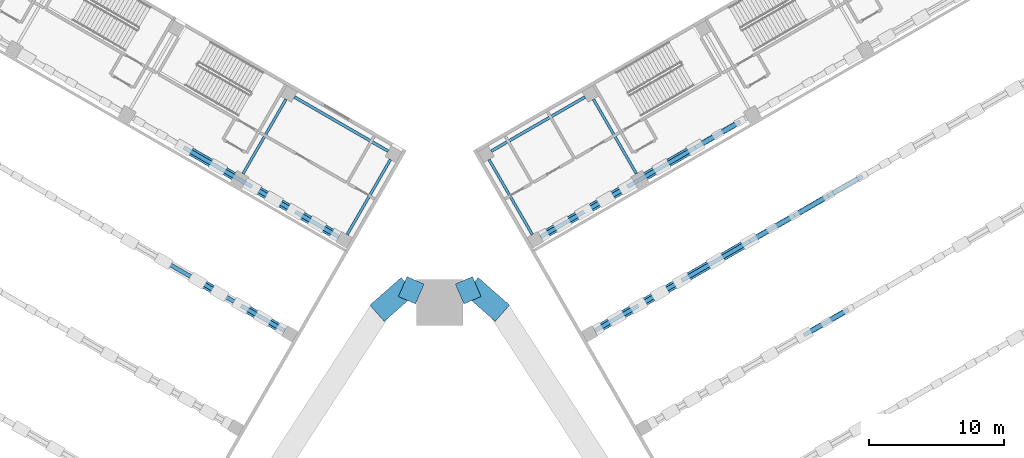
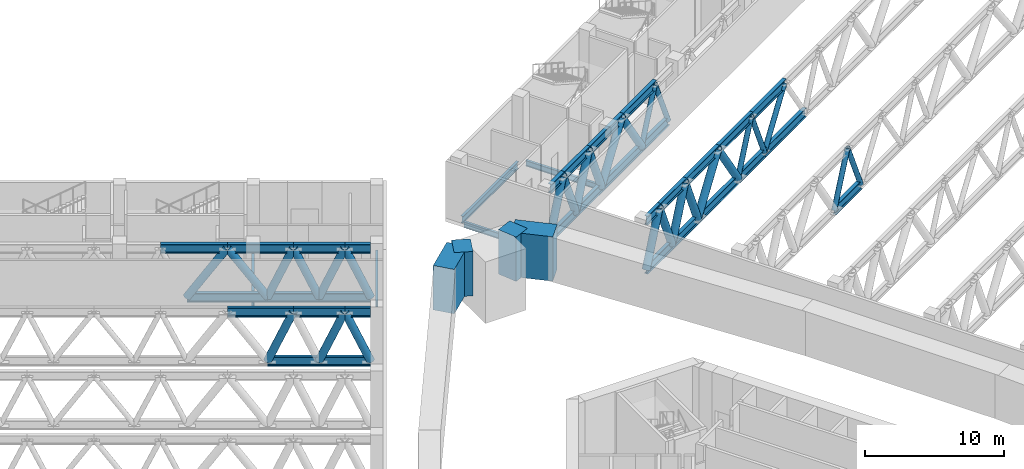
# One storey, part 8 of 37: 59 members, 10 beams.
"""IFC4 building model written with IfcOpenShell, lengths in metres."""

from ifc_helpers import new_model, si_unit, direction, frame, origin, origin_2d, place, context, subcontext, project, spatial, rectangle, hollow_circle, i_section, extrude, material, material_profile, profile_set, type_object, element, save


model = new_model("IFC4")

# Units and contexts
model_context = context("Model", 3, precision=1e-05, world=origin(), true_north=direction((0.0, 1.0)))
body_context = subcontext(model_context, "Body", "Model", "MODEL_VIEW")
ifc_project = project(units=[si_unit("LENGTHUNIT", "METRE"), si_unit("AREAUNIT", "SQUARE_METRE"), si_unit("VOLUMEUNIT", "CUBIC_METRE"), si_unit("PLANEANGLEUNIT", "RADIAN"), si_unit("MASSUNIT", "GRAM", prefix="KILO")], contexts=[model_context])

# Site, building, storey
site_placement = place(None, origin())
site = spatial("IfcSite", under=ifc_project, at=site_placement, CompositionType="ELEMENT")
building_placement = place(site_placement, origin())
building = spatial("IfcBuilding", under=site, at=building_placement, Name="Mestral Congress Tower", CompositionType="ELEMENT")
storey_placement = place(building_placement, frame((0.0, 0.0, 16.199951171875)))
storey = spatial("IfcBuildingStorey", under=building, at=storey_placement, Name="L03", CompositionType="ELEMENT", Elevation=16.199951171875)

# Beams
ifc_material_1 = material(Name="Steel S355", Category="steel")
ifc_material_profile_1 = material_profile(ifc_material_1, i_section(OverallWidth=0.199951171875, OverallDepth=0.5, WebThickness=0.01025390625, FlangeThickness=0.01611328125, FilletRadius=0.02099609375, at=origin_2d()), Name="IPE 500")
ifc_profile_set_1 = profile_set([ifc_material_profile_1], Name="Steel S355")
beam_type_1 = type_object("IfcBeamType", Name="Floor beam IPE 500 S355", PredefinedType="BEAM", material=ifc_profile_set_1)
beam_1_placement = place(storey_placement, frame((6.83544921875, 41.41650390625, -0.550048828125), z_axis=(-0.499999833739, 0.866025499775, 0.0), x_axis=(-0.866025499775, -0.499999833739, 0.0)))
element("IfcBeam", 1, at=beam_1_placement, inside=storey, type_object=beam_type_1, Name="BM-L03-E-U10A", PredefinedType="BEAM", context=body_context, shape_type="SweptSolid", body=[
    extrude(i_section(OverallWidth=0.199951171875, OverallDepth=0.5, WebThickness=0.01025390625, FlangeThickness=0.01611328125, FilletRadius=0.02099609375, at=origin_2d()), origin(), (0.0, 0.0, 1.0), 6.39990234375),
])
beam_2_placement = place(storey_placement, frame((14.51806640625, 45.909912109375, -0.550048828125), z_axis=(-0.500005339912, 0.866022320763, 0.0), x_axis=(-0.866022320763, -0.500005339912, 0.0)))
element("IfcBeam", 2, at=beam_2_placement, inside=storey, type_object=beam_type_1, Name="BM-L03-E-U10B", PredefinedType="BEAM", context=body_context, shape_type="SweptSolid", body=[
    extrude(i_section(OverallWidth=0.199951171875, OverallDepth=0.5, WebThickness=0.01025390625, FlangeThickness=0.01611328125, FilletRadius=0.02099609375, at=origin_2d()), origin(), (0.0, 0.0, 1.0), 6.35009765625),
])
beam_3_placement = place(storey_placement, frame((-3.635498046875, 46.958984375, -0.550048828125), z_axis=(-0.499999833739, -0.866025499775, 0.0), x_axis=(0.866025499775, -0.499999833739, 0.0)))
element("IfcBeam", 3, at=beam_3_placement, inside=storey, type_object=beam_type_1, Name="BM-L03-W-U01A", PredefinedType="BEAM", context=body_context, shape_type="SweptSolid", body=[
    extrude(i_section(OverallWidth=0.199951171875, OverallDepth=0.5, WebThickness=0.01025390625, FlangeThickness=0.01611328125, FilletRadius=0.02099609375, at=origin_2d()), origin(), (0.0, 0.0, 1.0), 6.39990234375),
])
beam_4_placement = place(storey_placement, frame((-11.343017578125, 51.4091796875, -0.550048828125), z_axis=(-0.500005339912, -0.866022320763, 0.0), x_axis=(0.866022320763, -0.500005339912, 0.0)))
element("IfcBeam", 4, at=beam_4_placement, inside=storey, type_object=beam_type_1, Name="BM-L03-W-U01B", PredefinedType="BEAM", context=body_context, shape_type="SweptSolid", body=[
    extrude(i_section(OverallWidth=0.199951171875, OverallDepth=0.5, WebThickness=0.01025390625, FlangeThickness=0.01611328125, FilletRadius=0.02099609375, at=origin_2d()), origin(), (0.0, 0.0, 1.0), 6.35009765625),
])
ifc_material_profile_2 = material_profile(ifc_material_1, i_section(OverallWidth=0.219970703125, OverallDepth=0.60009765625, WebThickness=0.011962890625, FlangeThickness=0.01904296875, FilletRadius=0.02392578125, at=origin_2d()), Name="IPE 600")
ifc_profile_set_2 = profile_set([ifc_material_profile_2], Name="Steel S355")
beam_type_2 = type_object("IfcBeamType", Name="Floor beam IPE 600 S355", PredefinedType="BEAM", material=ifc_profile_set_2)
for number, where, z_axis, x_axis, name in (
    (5, (3.80029296875, 47.57373046875, -0.599853515625), (0.866026010844, 0.49999894854, 0.0), (-0.49999894854, 0.866026010844, 0.0), "BM-L03-E-V11A"),
    (6, (-3.80029296875, 47.57373046875, -0.599853515625), (-0.866026010844, 0.49999894854, 0.0), (-0.49999894854, -0.866026010844, 0.0), "BM-L03-W-V01A"),
):
    element("IfcBeam", number, at=place(storey_placement, frame(where, z_axis=z_axis, x_axis=x_axis)), inside=storey, type_object=beam_type_2, Name=name, PredefinedType="BEAM", context=body_context, shape_type="SweptSolid", body=[
        extrude(i_section(OverallWidth=0.219970703125, OverallDepth=0.60009765625, WebThickness=0.011962890625, FlangeThickness=0.01904296875, FilletRadius=0.02392578125, at=origin_2d()), origin(), (0.0, 0.0, 1.0), 8.0),
    ])
ifc_material_2 = material(Name="Concrete C70/85", Category="concrete")
ifc_material_profile_3 = material_profile(ifc_material_2, rectangle(XDim=1.60009765625, YDim=3.89990234375, at=origin_2d()), Name="RC 1600x3900")
ifc_profile_set_3 = profile_set([ifc_material_profile_3], Name="Concrete C70/85")
beam_type_3 = type_object("IfcBeamType", Name="Transfer girder RC 1600x3900 C70/85", PredefinedType="BEAM", material=ifc_profile_set_3)
beam_5_placement = place(storey_placement, frame((4.62353515625, 35.61279296875, 3.449951171875), z_axis=(-0.749833225643, 0.661626884068, 0.0), x_axis=(-0.661626884068, -0.749833225643, 0.0)))
element("IfcBeam", 7, at=beam_5_placement, inside=storey, type_object=beam_type_3, Name="BM-TG14", PredefinedType="BEAM", context=body_context, shape_type="SweptSolid", body=[
    extrude(rectangle(XDim=1.60009765625, YDim=3.89990234375, at=origin_2d()), origin(), (0.0, 0.0, 1.0), 3.077880859375),
])
for number, where, z_axis, x_axis, name in (
    (8, (2.732666015625, 37.5830078125, 3.449951171875), (-0.917549149145, -0.397622382296, 0.0), (0.397622382296, -0.917549149145, 0.0), "BM-TG15"),
    (9, (-1.470703125, 37.0361328125, 3.449951171875), (-0.917549149145, 0.397622382296, 0.0), (-0.397622382296, -0.917549149145, 0.0), "BM-TG16"),
):
    element("IfcBeam", number, at=place(storey_placement, frame(where, z_axis=z_axis, x_axis=x_axis)), inside=storey, type_object=beam_type_3, Name=name, PredefinedType="BEAM", context=body_context, shape_type="SweptSolid", body=[
        extrude(rectangle(XDim=1.60009765625, YDim=3.89990234375, at=origin_2d()), origin(), (0.0, 0.0, 1.0), 1.375244140625),
    ])
beam_6_placement = place(storey_placement, frame((-2.315673828125, 37.649169921875, 3.449951171875), z_axis=(-0.749833225643, -0.661626884068, 0.0), x_axis=(0.661626884068, -0.749833225643, 0.0)))
element("IfcBeam", 10, at=beam_6_placement, inside=storey, type_object=beam_type_3, Name="BM-TG17", PredefinedType="BEAM", context=body_context, shape_type="SweptSolid", body=[
    extrude(rectangle(XDim=1.60009765625, YDim=3.89990234375, at=origin_2d()), origin(), (0.0, 0.0, 1.0), 3.077880859375),
])

# Members
ifc_material_profile_4 = material_profile(ifc_material_1, i_section(OverallWidth=0.300048828125, OverallDepth=0.800048828125, WebThickness=0.017578125, FlangeThickness=0.032958984375, FilletRadius=0.030029296875, at=origin_2d()), Name="HEB 800")
ifc_profile_set_4 = profile_set([ifc_material_profile_4], Name="Steel S355")
member_type_1 = type_object("IfcMemberType", Name="Truss chord HEB 800 S355", PredefinedType="CHORD", material=ifc_profile_set_4)
member_1_placement = place(storey_placement, frame((26.8818359375, 33.995361328125, 0.400146484375), z_axis=(0.866000483506, 0.500043160704, 0.0), x_axis=(-0.500043160704, 0.866000483506, 0.0)))
element("IfcMember", 11, at=member_1_placement, inside=storey, type_object=member_type_1, Name="MB-E-T7-BC04", PredefinedType="CHORD", context=body_context, shape_type="SweptSolid", body=[
    extrude(i_section(OverallWidth=0.300048828125, OverallDepth=0.800048828125, WebThickness=0.017578125, FlangeThickness=0.032958984375, FilletRadius=0.030029296875, at=origin_2d()), origin(), (0.0, 0.0, 1.0), 3.800048828125),
])
for number, where, z_axis, x_axis, name in (
    (12, (11.4501953125, 34.323486328125, 0.400146484375), (0.86601746898, 0.500013743233, 0.0), (-0.500013743233, 0.86601746898, 0.0), "MB-E-T8-BC01"),
    (13, (14.654541015625, 36.173583984375, 0.400146484375), (0.86601746898, 0.500013743233, 0.0), (-0.500013743233, 0.86601746898, 0.0), "MB-E-T8-BC02"),
):
    element("IfcMember", number, at=place(storey_placement, frame(where, z_axis=z_axis, x_axis=x_axis)), inside=storey, type_object=member_type_1, Name=name, PredefinedType="CHORD", context=body_context, shape_type="SweptSolid", body=[
        extrude(i_section(OverallWidth=0.300048828125, OverallDepth=0.800048828125, WebThickness=0.017578125, FlangeThickness=0.032958984375, FilletRadius=0.030029296875, at=origin_2d()), origin(), (0.0, 0.0, 1.0), 3.7001953125),
    ])
member_2_placement = place(storey_placement, frame((17.85888671875, 38.023681640625, 0.400146484375), z_axis=(0.866032775405, 0.499987231761, 0.0), x_axis=(-0.499987231761, 0.866032775405, 0.0)))
element("IfcMember", 14, at=member_2_placement, inside=storey, type_object=member_type_1, Name="MB-E-T8-BC03", PredefinedType="CHORD", context=body_context, shape_type="SweptSolid", body=[
    extrude(i_section(OverallWidth=0.300048828125, OverallDepth=0.800048828125, WebThickness=0.017578125, FlangeThickness=0.032958984375, FilletRadius=0.030029296875, at=origin_2d()), origin(), (0.0, 0.0, 1.0), 5.800048828125),
])
member_3_placement = place(storey_placement, frame((22.8818359375, 40.923583984375, 0.400146484375), z_axis=(0.866028304915, 0.499994975061, 0.0), x_axis=(-0.499994975061, 0.866028304915, 0.0)))
element("IfcMember", 15, at=member_3_placement, inside=storey, type_object=member_type_1, Name="MB-E-T8-BC04", PredefinedType="CHORD", context=body_context, shape_type="SweptSolid", body=[
    extrude(i_section(OverallWidth=0.300048828125, OverallDepth=0.800048828125, WebThickness=0.017578125, FlangeThickness=0.032958984375, FilletRadius=0.030029296875, at=origin_2d()), origin(), (0.0, 0.0, 1.0), 3.7998046875),
])
member_4_placement = place(storey_placement, frame((26.172607421875, 42.823486328125, 0.400146484375), z_axis=(0.86601454848, 0.500018801468, 0.0), x_axis=(-0.500018801468, 0.86601454848, 0.0)))
element("IfcMember", 16, at=member_4_placement, inside=storey, type_object=member_type_1, Name="MB-E-T8-BC05", PredefinedType="CHORD", context=body_context, shape_type="SweptSolid", body=[
    extrude(i_section(OverallWidth=0.300048828125, OverallDepth=0.800048828125, WebThickness=0.017578125, FlangeThickness=0.032958984375, FilletRadius=0.030029296875, at=origin_2d()), origin(), (0.0, 0.0, 1.0), 5.800048828125),
])
member_5_placement = place(storey_placement, frame((11.4501953125, 34.323486328125, 4.699951171875), z_axis=(0.866033964044, 0.499985172903, 0.0), x_axis=(-0.499985172903, 0.866033964044, 0.0)))
element("IfcMember", 17, at=member_5_placement, inside=storey, type_object=member_type_1, Name="MB-E-T8-TC01", PredefinedType="CHORD", context=body_context, shape_type="SweptSolid", body=[
    extrude(i_section(OverallWidth=0.300048828125, OverallDepth=0.800048828125, WebThickness=0.017578125, FlangeThickness=0.032958984375, FilletRadius=0.030029296875, at=origin_2d()), origin(), (0.0, 0.0, 1.0), 1.85009765625),
])
member_6_placement = place(storey_placement, frame((13.052490234375, 35.24853515625, 4.699951171875), z_axis=(0.866000971088, 0.500042316284, 0.0), x_axis=(-0.500042316284, 0.866000971088, 0.0)))
element("IfcMember", 18, at=member_6_placement, inside=storey, type_object=member_type_1, Name="MB-E-T8-TC02", PredefinedType="CHORD", context=body_context, shape_type="SweptSolid", body=[
    extrude(i_section(OverallWidth=0.300048828125, OverallDepth=0.800048828125, WebThickness=0.017578125, FlangeThickness=0.032958984375, FilletRadius=0.030029296875, at=origin_2d()), origin(), (0.0, 0.0, 1.0), 3.699951171875),
])
member_7_placement = place(storey_placement, frame((16.256591796875, 37.0986328125, 4.699951171875), z_axis=(0.866033238375, 0.499986429846, 0.0), x_axis=(-0.499986429846, 0.866033238375, 0.0)))
element("IfcMember", 19, at=member_7_placement, inside=storey, type_object=member_type_1, Name="MB-E-T8-TC03", PredefinedType="CHORD", context=body_context, shape_type="SweptSolid", body=[
    extrude(i_section(OverallWidth=0.300048828125, OverallDepth=0.800048828125, WebThickness=0.017578125, FlangeThickness=0.032958984375, FilletRadius=0.030029296875, at=origin_2d()), origin(), (0.0, 0.0, 1.0), 4.750244140625),
])
member_8_placement = place(storey_placement, frame((20.370361328125, 39.4736328125, 4.699951171875), z_axis=(0.866024647952, 0.500001309137, 0.0), x_axis=(-0.500001309137, 0.866024647952, 0.0)))
element("IfcMember", 20, at=member_8_placement, inside=storey, type_object=member_type_1, Name="MB-E-T8-TC04", PredefinedType="CHORD", context=body_context, shape_type="SweptSolid", body=[
    extrude(i_section(OverallWidth=0.300048828125, OverallDepth=0.800048828125, WebThickness=0.017578125, FlangeThickness=0.032958984375, FilletRadius=0.030029296875, at=origin_2d()), origin(), (0.0, 0.0, 1.0), 4.7998046875),
])
member_9_placement = place(storey_placement, frame((24.527099609375, 41.87353515625, 4.699951171875), z_axis=(0.866015339567, 0.500017431331, 0.0), x_axis=(-0.500017431331, 0.866015339567, 0.0)))
element("IfcMember", 21, at=member_9_placement, inside=storey, type_object=member_type_1, Name="MB-E-T8-TC05", PredefinedType="CHORD", context=body_context, shape_type="SweptSolid", body=[
    extrude(i_section(OverallWidth=0.300048828125, OverallDepth=0.800048828125, WebThickness=0.017578125, FlangeThickness=0.032958984375, FilletRadius=0.030029296875, at=origin_2d()), origin(), (0.0, 0.0, 1.0), 4.800048828125),
])
for number, where, z_axis, x_axis, name in (
    (22, (7.4501953125, 41.251708984375, 0.400146484375), (0.86601746898, 0.500013743233, 0.0), (-0.500013743233, 0.86601746898, 0.0), "MB-E-T9-BC01"),
    (23, (10.654541015625, 43.101806640625, 0.400146484375), (0.86601746898, 0.500013743233, 0.0), (-0.500013743233, 0.86601746898, 0.0), "MB-E-T9-BC02"),
):
    element("IfcMember", number, at=place(storey_placement, frame(where, z_axis=z_axis, x_axis=x_axis)), inside=storey, type_object=member_type_1, Name=name, PredefinedType="CHORD", context=body_context, shape_type="SweptSolid", body=[
        extrude(i_section(OverallWidth=0.300048828125, OverallDepth=0.800048828125, WebThickness=0.017578125, FlangeThickness=0.032958984375, FilletRadius=0.030029296875, at=origin_2d()), origin(), (0.0, 0.0, 1.0), 3.7001953125),
    ])
member_10_placement = place(storey_placement, frame((13.85888671875, 44.951904296875, 0.400146484375), z_axis=(0.866032775405, 0.499987231761, 0.0), x_axis=(-0.499987231761, 0.866032775405, 0.0)))
element("IfcMember", 24, at=member_10_placement, inside=storey, type_object=member_type_1, Name="MB-E-T9-BC03", PredefinedType="CHORD", context=body_context, shape_type="SweptSolid", body=[
    extrude(i_section(OverallWidth=0.300048828125, OverallDepth=0.800048828125, WebThickness=0.017578125, FlangeThickness=0.032958984375, FilletRadius=0.030029296875, at=origin_2d()), origin(), (0.0, 0.0, 1.0), 5.800048828125),
])
member_11_placement = place(storey_placement, frame((18.8818359375, 47.851806640625, 0.400146484375), z_axis=(0.866028304915, 0.499994975061, 0.0), x_axis=(-0.499994975061, 0.866028304915, 0.0)))
element("IfcMember", 25, at=member_11_placement, inside=storey, type_object=member_type_1, Name="MB-E-T9-BC04", PredefinedType="CHORD", context=body_context, shape_type="SweptSolid", body=[
    extrude(i_section(OverallWidth=0.300048828125, OverallDepth=0.800048828125, WebThickness=0.017578125, FlangeThickness=0.032958984375, FilletRadius=0.030029296875, at=origin_2d()), origin(), (0.0, 0.0, 1.0), 3.7998046875),
])
member_12_placement = place(storey_placement, frame((7.4501953125, 41.251708984375, 4.699951171875), z_axis=(0.866033964044, 0.499985172903, 0.0), x_axis=(-0.499985172903, 0.866033964044, 0.0)))
element("IfcMember", 26, at=member_12_placement, inside=storey, type_object=member_type_1, Name="MB-E-T9-TC01", PredefinedType="CHORD", context=body_context, shape_type="SweptSolid", body=[
    extrude(i_section(OverallWidth=0.300048828125, OverallDepth=0.800048828125, WebThickness=0.017578125, FlangeThickness=0.032958984375, FilletRadius=0.030029296875, at=origin_2d()), origin(), (0.0, 0.0, 1.0), 1.85009765625),
])
member_13_placement = place(storey_placement, frame((9.052490234375, 42.1767578125, 4.699951171875), z_axis=(0.866000971088, 0.500042316284, 0.0), x_axis=(-0.500042316284, 0.866000971088, 0.0)))
element("IfcMember", 27, at=member_13_placement, inside=storey, type_object=member_type_1, Name="MB-E-T9-TC02", PredefinedType="CHORD", context=body_context, shape_type="SweptSolid", body=[
    extrude(i_section(OverallWidth=0.300048828125, OverallDepth=0.800048828125, WebThickness=0.017578125, FlangeThickness=0.032958984375, FilletRadius=0.030029296875, at=origin_2d()), origin(), (0.0, 0.0, 1.0), 3.699951171875),
])
member_14_placement = place(storey_placement, frame((12.256591796875, 44.02685546875, 4.699951171875), z_axis=(0.866033238375, 0.499986429846, 0.0), x_axis=(-0.499986429846, 0.866033238375, 0.0)))
element("IfcMember", 28, at=member_14_placement, inside=storey, type_object=member_type_1, Name="MB-E-T9-TC03", PredefinedType="CHORD", context=body_context, shape_type="SweptSolid", body=[
    extrude(i_section(OverallWidth=0.300048828125, OverallDepth=0.800048828125, WebThickness=0.017578125, FlangeThickness=0.032958984375, FilletRadius=0.030029296875, at=origin_2d()), origin(), (0.0, 0.0, 1.0), 4.750244140625),
])
member_15_placement = place(storey_placement, frame((16.370361328125, 46.40185546875, 4.699951171875), z_axis=(0.866024647952, 0.500001309137, 0.0), x_axis=(-0.500001309137, 0.866024647952, 0.0)))
element("IfcMember", 29, at=member_15_placement, inside=storey, type_object=member_type_1, Name="MB-E-T9-TC04", PredefinedType="CHORD", context=body_context, shape_type="SweptSolid", body=[
    extrude(i_section(OverallWidth=0.300048828125, OverallDepth=0.800048828125, WebThickness=0.017578125, FlangeThickness=0.032958984375, FilletRadius=0.030029296875, at=origin_2d()), origin(), (0.0, 0.0, 1.0), 4.7998046875),
])
for number, where, z_axis, x_axis, name in (
    (30, (-7.4501953125, 41.251708984375, 0.400146484375), (-0.86601746898, 0.500013743233, 0.0), (-0.500013743233, -0.86601746898, 0.0), "MB-W-T1-BC01"),
    (31, (-10.654541015625, 43.101806640625, 0.400146484375), (-0.86601746898, 0.500013743233, 0.0), (-0.500013743233, -0.86601746898, 0.0), "MB-W-T1-BC02"),
):
    element("IfcMember", number, at=place(storey_placement, frame(where, z_axis=z_axis, x_axis=x_axis)), inside=storey, type_object=member_type_1, Name=name, PredefinedType="CHORD", context=body_context, shape_type="SweptSolid", body=[
        extrude(i_section(OverallWidth=0.300048828125, OverallDepth=0.800048828125, WebThickness=0.017578125, FlangeThickness=0.032958984375, FilletRadius=0.030029296875, at=origin_2d()), origin(), (0.0, 0.0, 1.0), 3.7001953125),
    ])
member_16_placement = place(storey_placement, frame((-13.85888671875, 44.951904296875, 0.400146484375), z_axis=(-0.866032775405, 0.499987231761, 0.0), x_axis=(-0.499987231761, -0.866032775405, 0.0)))
element("IfcMember", 32, at=member_16_placement, inside=storey, type_object=member_type_1, Name="MB-W-T1-BC03", PredefinedType="CHORD", context=body_context, shape_type="SweptSolid", body=[
    extrude(i_section(OverallWidth=0.300048828125, OverallDepth=0.800048828125, WebThickness=0.017578125, FlangeThickness=0.032958984375, FilletRadius=0.030029296875, at=origin_2d()), origin(), (0.0, 0.0, 1.0), 5.800048828125),
])
member_17_placement = place(storey_placement, frame((-7.4501953125, 41.251708984375, 4.699951171875), z_axis=(-0.866033964044, 0.499985172903, 0.0), x_axis=(-0.499985172903, -0.866033964044, 0.0)))
element("IfcMember", 33, at=member_17_placement, inside=storey, type_object=member_type_1, Name="MB-W-T1-TC01", PredefinedType="CHORD", context=body_context, shape_type="SweptSolid", body=[
    extrude(i_section(OverallWidth=0.300048828125, OverallDepth=0.800048828125, WebThickness=0.017578125, FlangeThickness=0.032958984375, FilletRadius=0.030029296875, at=origin_2d()), origin(), (0.0, 0.0, 1.0), 1.85009765625),
])
member_18_placement = place(storey_placement, frame((-9.052490234375, 42.1767578125, 4.699951171875), z_axis=(-0.866000971088, 0.500042316284, 0.0), x_axis=(-0.500042316284, -0.866000971088, 0.0)))
element("IfcMember", 34, at=member_18_placement, inside=storey, type_object=member_type_1, Name="MB-W-T1-TC02", PredefinedType="CHORD", context=body_context, shape_type="SweptSolid", body=[
    extrude(i_section(OverallWidth=0.300048828125, OverallDepth=0.800048828125, WebThickness=0.017578125, FlangeThickness=0.032958984375, FilletRadius=0.030029296875, at=origin_2d()), origin(), (0.0, 0.0, 1.0), 3.699951171875),
])
member_19_placement = place(storey_placement, frame((-12.256591796875, 44.02685546875, 4.699951171875), z_axis=(-0.866033238375, 0.499986429846, 0.0), x_axis=(-0.499986429846, -0.866033238375, 0.0)))
element("IfcMember", 35, at=member_19_placement, inside=storey, type_object=member_type_1, Name="MB-W-T1-TC03", PredefinedType="CHORD", context=body_context, shape_type="SweptSolid", body=[
    extrude(i_section(OverallWidth=0.300048828125, OverallDepth=0.800048828125, WebThickness=0.017578125, FlangeThickness=0.032958984375, FilletRadius=0.030029296875, at=origin_2d()), origin(), (0.0, 0.0, 1.0), 4.750244140625),
])
member_20_placement = place(storey_placement, frame((-16.370361328125, 46.40185546875, 4.699951171875), z_axis=(-0.866024647952, 0.500001309137, 0.0), x_axis=(-0.500001309137, -0.866024647952, 0.0)))
element("IfcMember", 36, at=member_20_placement, inside=storey, type_object=member_type_1, Name="MB-W-T1-TC04", PredefinedType="CHORD", context=body_context, shape_type="SweptSolid", body=[
    extrude(i_section(OverallWidth=0.300048828125, OverallDepth=0.800048828125, WebThickness=0.017578125, FlangeThickness=0.032958984375, FilletRadius=0.030029296875, at=origin_2d()), origin(), (0.0, 0.0, 1.0), 4.7998046875),
])
for number, where, z_axis, x_axis, name in (
    (37, (-11.4501953125, 34.323486328125, 0.400146484375), (-0.86601746898, 0.500013743233, 0.0), (-0.500013743233, -0.86601746898, 0.0), "MB-W-T2-BC01"),
    (38, (-14.654541015625, 36.173583984375, 0.400146484375), (-0.86601746898, 0.500013743233, 0.0), (-0.500013743233, -0.86601746898, 0.0), "MB-W-T2-BC02"),
):
    element("IfcMember", number, at=place(storey_placement, frame(where, z_axis=z_axis, x_axis=x_axis)), inside=storey, type_object=member_type_1, Name=name, PredefinedType="CHORD", context=body_context, shape_type="SweptSolid", body=[
        extrude(i_section(OverallWidth=0.300048828125, OverallDepth=0.800048828125, WebThickness=0.017578125, FlangeThickness=0.032958984375, FilletRadius=0.030029296875, at=origin_2d()), origin(), (0.0, 0.0, 1.0), 3.7001953125),
    ])
member_21_placement = place(storey_placement, frame((-11.4501953125, 34.323486328125, 4.699951171875), z_axis=(-0.866033964044, 0.499985172903, 0.0), x_axis=(-0.499985172903, -0.866033964044, 0.0)))
element("IfcMember", 39, at=member_21_placement, inside=storey, type_object=member_type_1, Name="MB-W-T2-TC01", PredefinedType="CHORD", context=body_context, shape_type="SweptSolid", body=[
    extrude(i_section(OverallWidth=0.300048828125, OverallDepth=0.800048828125, WebThickness=0.017578125, FlangeThickness=0.032958984375, FilletRadius=0.030029296875, at=origin_2d()), origin(), (0.0, 0.0, 1.0), 1.85009765625),
])
member_22_placement = place(storey_placement, frame((-13.052490234375, 35.24853515625, 4.699951171875), z_axis=(-0.866000971088, 0.500042316284, 0.0), x_axis=(-0.500042316284, -0.866000971088, 0.0)))
element("IfcMember", 40, at=member_22_placement, inside=storey, type_object=member_type_1, Name="MB-W-T2-TC02", PredefinedType="CHORD", context=body_context, shape_type="SweptSolid", body=[
    extrude(i_section(OverallWidth=0.300048828125, OverallDepth=0.800048828125, WebThickness=0.017578125, FlangeThickness=0.032958984375, FilletRadius=0.030029296875, at=origin_2d()), origin(), (0.0, 0.0, 1.0), 3.699951171875),
])
member_23_placement = place(storey_placement, frame((-16.256591796875, 37.0986328125, 4.699951171875), z_axis=(-0.866033238375, 0.499986429846, 0.0), x_axis=(-0.499986429846, -0.866033238375, 0.0)))
element("IfcMember", 41, at=member_23_placement, inside=storey, type_object=member_type_1, Name="MB-W-T2-TC03", PredefinedType="CHORD", context=body_context, shape_type="SweptSolid", body=[
    extrude(i_section(OverallWidth=0.300048828125, OverallDepth=0.800048828125, WebThickness=0.017578125, FlangeThickness=0.032958984375, FilletRadius=0.030029296875, at=origin_2d()), origin(), (0.0, 0.0, 1.0), 4.750244140625),
])
ifc_material_profile_5 = material_profile(ifc_material_1, hollow_circle(Radius=0.203125, WallThickness=0.01611328125, at=origin_2d()), Name="CHS 406.4x16")
ifc_profile_set_5 = profile_set([ifc_material_profile_5], Name="Steel S355")
member_type_2 = type_object("IfcMemberType", Name="Truss diagonal CHS 406.4x16 S355", PredefinedType="BRACE", material=ifc_profile_set_5)
for number, where, z_axis, x_axis, name in (
    (42, (26.8818359375, 33.995361328125, 0.400146484375), (0.349995738631, 0.20208241861, 0.914694309061), (-0.500022797313, 0.86601224135, 0.0), "MB-E-T7-D07"),
    (43, (28.527099609375, 34.9453125, 4.699951171875), (0.35003763718, 0.202128558443, -0.914668081011), (-0.500063520245, 0.865988727248, 0.0), "MB-E-T7-D08"),
    (44, (22.8818359375, 40.923583984375, 0.400146484375), (0.349995738631, 0.20208241861, 0.914694309061), (-0.500022797313, 0.86601224135, 0.0), "MB-E-T8-D07"),
    (45, (24.527099609375, 41.87353515625, 4.699951171875), (0.350041311257, 0.202078745119, -0.914677681582), (-0.499967155389, 0.866044365799, 0.0), "MB-E-T8-D08"),
):
    element("IfcMember", number, at=place(storey_placement, frame(where, z_axis=z_axis, x_axis=x_axis)), inside=storey, type_object=member_type_2, Name=name, PredefinedType="BRACE", context=body_context, shape_type="SweptSolid", body=[
        extrude(hollow_circle(Radius=0.203125, WallThickness=0.01611328125, at=origin_2d()), origin(), (0.0, 0.0, 1.0), 4.700927734375),
    ])
member_24_placement = place(storey_placement, frame((26.172607421875, 42.823486328125, 0.400146484375), z_axis=(0.484241047345, 0.27961425306, 0.829051553012), x_axis=(-0.50005036918, 0.865996321171, 0.0)))
element("IfcMember", 46, at=member_24_placement, inside=storey, type_object=member_type_2, Name="MB-E-T8-D09", PredefinedType="BRACE", context=body_context, shape_type="SweptSolid", body=[
    extrude(hollow_circle(Radius=0.203125, WallThickness=0.01611328125, at=origin_2d()), origin(), (0.0, 0.0, 1.0), 5.1865234375),
])
for number, where, z_axis, x_axis, name in (
    (47, (18.8818359375, 47.851806640625, 0.400146484375), (0.349995738631, 0.20208241861, 0.914694309061), (-0.500022797313, 0.86601224135, 0.0), "MB-E-T9-D07"),
    (48, (20.527099609375, 48.8017578125, 4.699951171875), (0.350041311257, 0.202078745119, -0.914677681582), (-0.499967155389, 0.866044365799, 0.0), "MB-E-T9-D08"),
):
    element("IfcMember", number, at=place(storey_placement, frame(where, z_axis=z_axis, x_axis=x_axis)), inside=storey, type_object=member_type_2, Name=name, PredefinedType="BRACE", context=body_context, shape_type="SweptSolid", body=[
        extrude(hollow_circle(Radius=0.203125, WallThickness=0.01611328125, at=origin_2d()), origin(), (0.0, 0.0, 1.0), 4.700927734375),
    ])
ifc_material_profile_6 = material_profile(ifc_material_1, hollow_circle(Radius=0.304931640625, WallThickness=0.02490234375, at=origin_2d()), Name="CHS 610x25")
ifc_profile_set_6 = profile_set([ifc_material_profile_6], Name="Steel S355")
member_type_3 = type_object("IfcMemberType", Name="Truss diagonal CHS 610x25 S355", PredefinedType="BRACE", material=ifc_profile_set_6)
for number, where, z_axis, x_axis, name in (
    (49, (11.4501953125, 34.323486328125, 0.400146484375), (0.342300508531, 0.197619476889, 0.918573298226), (-0.499985172903, 0.866033964044, 0.0), "MB-E-T8-D01"),
    (50, (13.052490234375, 35.24853515625, 4.699951171875), (0.342254462306, 0.197623004828, -0.91858969676), (-0.500042316284, 0.866000971088, 0.0), "MB-E-T8-D02"),
    (51, (14.654541015625, 36.173583984375, 0.400146484375), (0.342254462306, 0.197623004828, 0.91858969676), (-0.500042316284, 0.866000971088, 0.0), "MB-E-T8-D03"),
    (52, (16.256591796875, 37.0986328125, 4.699951171875), (0.342300508531, 0.197619476889, -0.918573298226), (-0.499985172903, 0.866033964044, 0.0), "MB-E-T8-D04"),
):
    element("IfcMember", number, at=place(storey_placement, frame(where, z_axis=z_axis, x_axis=x_axis)), inside=storey, type_object=member_type_3, Name=name, PredefinedType="BRACE", context=body_context, shape_type="SweptSolid", body=[
        extrude(hollow_circle(Radius=0.304931640625, WallThickness=0.02490234375, at=origin_2d()), origin(), (0.0, 0.0, 1.0), 4.680908203125),
    ])
for number, where, z_axis, x_axis, name in (
    (53, (17.85888671875, 38.023681640625, 0.400146484375), (0.484247420666, 0.279570859467, 0.829062464544), (-0.499987231761, 0.866032775405, 0.0), "MB-E-T8-D05"),
    (54, (20.370361328125, 39.4736328125, 4.699951171875), (0.484247420666, 0.279570859467, -0.829062464544), (-0.499987231761, 0.866032775405, 0.0), "MB-E-T8-D06"),
):
    element("IfcMember", number, at=place(storey_placement, frame(where, z_axis=z_axis, x_axis=x_axis)), inside=storey, type_object=member_type_3, Name=name, PredefinedType="BRACE", context=body_context, shape_type="SweptSolid", body=[
        extrude(hollow_circle(Radius=0.304931640625, WallThickness=0.02490234375, at=origin_2d()), origin(), (0.0, 0.0, 1.0), 5.186279296875),
    ])
for number, where, z_axis, x_axis, name in (
    (55, (7.4501953125, 41.251708984375, 0.400146484375), (0.342300508531, 0.197619476889, 0.918573298226), (-0.499985172903, 0.866033964044, 0.0), "MB-E-T9-D01"),
    (56, (9.052490234375, 42.1767578125, 4.699951171875), (0.342254462306, 0.197623004828, -0.91858969676), (-0.500042316284, 0.866000971088, 0.0), "MB-E-T9-D02"),
    (57, (10.654541015625, 43.101806640625, 0.400146484375), (0.342254462306, 0.197623004828, 0.91858969676), (-0.500042316284, 0.866000971088, 0.0), "MB-E-T9-D03"),
    (58, (12.256591796875, 44.02685546875, 4.699951171875), (0.342300508531, 0.197619476889, -0.918573298226), (-0.499985172903, 0.866033964044, 0.0), "MB-E-T9-D04"),
):
    element("IfcMember", number, at=place(storey_placement, frame(where, z_axis=z_axis, x_axis=x_axis)), inside=storey, type_object=member_type_3, Name=name, PredefinedType="BRACE", context=body_context, shape_type="SweptSolid", body=[
        extrude(hollow_circle(Radius=0.304931640625, WallThickness=0.02490234375, at=origin_2d()), origin(), (0.0, 0.0, 1.0), 4.680908203125),
    ])
for number, where, z_axis, x_axis, name in (
    (59, (13.85888671875, 44.951904296875, 0.400146484375), (0.484247420666, 0.279570859467, 0.829062464544), (-0.499987231761, 0.866032775405, 0.0), "MB-E-T9-D05"),
    (60, (16.370361328125, 46.40185546875, 4.699951171875), (0.484247420666, 0.279570859467, -0.829062464544), (-0.499987231761, 0.866032775405, 0.0), "MB-E-T9-D06"),
):
    element("IfcMember", number, at=place(storey_placement, frame(where, z_axis=z_axis, x_axis=x_axis)), inside=storey, type_object=member_type_3, Name=name, PredefinedType="BRACE", context=body_context, shape_type="SweptSolid", body=[
        extrude(hollow_circle(Radius=0.304931640625, WallThickness=0.02490234375, at=origin_2d()), origin(), (0.0, 0.0, 1.0), 5.186279296875),
    ])
for number, where, z_axis, x_axis, name in (
    (61, (-7.4501953125, 41.251708984375, 0.400146484375), (-0.342300508531, 0.197619476889, 0.918573298226), (-0.499985172903, -0.866033964044, 0.0), "MB-W-T1-D01"),
    (62, (-9.052490234375, 42.1767578125, 4.699951171875), (-0.342254462306, 0.197623004828, -0.91858969676), (-0.500042316284, -0.866000971088, 0.0), "MB-W-T1-D02"),
    (63, (-10.654541015625, 43.101806640625, 0.400146484375), (-0.342254462306, 0.197623004828, 0.91858969676), (-0.500042316284, -0.866000971088, 0.0), "MB-W-T1-D03"),
    (64, (-12.256591796875, 44.02685546875, 4.699951171875), (-0.342300508531, 0.197619476889, -0.918573298226), (-0.499985172903, -0.866033964044, 0.0), "MB-W-T1-D04"),
):
    element("IfcMember", number, at=place(storey_placement, frame(where, z_axis=z_axis, x_axis=x_axis)), inside=storey, type_object=member_type_3, Name=name, PredefinedType="BRACE", context=body_context, shape_type="SweptSolid", body=[
        extrude(hollow_circle(Radius=0.304931640625, WallThickness=0.02490234375, at=origin_2d()), origin(), (0.0, 0.0, 1.0), 4.680908203125),
    ])
for number, where, z_axis, x_axis, name in (
    (65, (-13.85888671875, 44.951904296875, 0.400146484375), (-0.484247420666, 0.279570859467, 0.829062464544), (-0.499987231761, -0.866032775405, 0.0), "MB-W-T1-D05"),
    (66, (-16.370361328125, 46.40185546875, 4.699951171875), (-0.484247420666, 0.279570859467, -0.829062464544), (-0.499987231761, -0.866032775405, 0.0), "MB-W-T1-D06"),
):
    element("IfcMember", number, at=place(storey_placement, frame(where, z_axis=z_axis, x_axis=x_axis)), inside=storey, type_object=member_type_3, Name=name, PredefinedType="BRACE", context=body_context, shape_type="SweptSolid", body=[
        extrude(hollow_circle(Radius=0.304931640625, WallThickness=0.02490234375, at=origin_2d()), origin(), (0.0, 0.0, 1.0), 5.186279296875),
    ])
for number, where, z_axis, x_axis, name in (
    (67, (-11.4501953125, 34.323486328125, 0.400146484375), (-0.342300508531, 0.197619476889, 0.918573298226), (-0.499985172903, -0.866033964044, 0.0), "MB-W-T2-D01"),
    (68, (-13.052490234375, 35.24853515625, 4.699951171875), (-0.342254462306, 0.197623004828, -0.91858969676), (-0.500042316284, -0.866000971088, 0.0), "MB-W-T2-D02"),
    (69, (-16.256591796875, 37.0986328125, 4.699951171875), (-0.342300508531, 0.197619476889, -0.918573298226), (-0.499985172903, -0.866033964044, 0.0), "MB-W-T2-D04"),
):
    element("IfcMember", number, at=place(storey_placement, frame(where, z_axis=z_axis, x_axis=x_axis)), inside=storey, type_object=member_type_3, Name=name, PredefinedType="BRACE", context=body_context, shape_type="SweptSolid", body=[
        extrude(hollow_circle(Radius=0.304931640625, WallThickness=0.02490234375, at=origin_2d()), origin(), (0.0, 0.0, 1.0), 4.680908203125),
    ])

save(model, "model.ifc")
